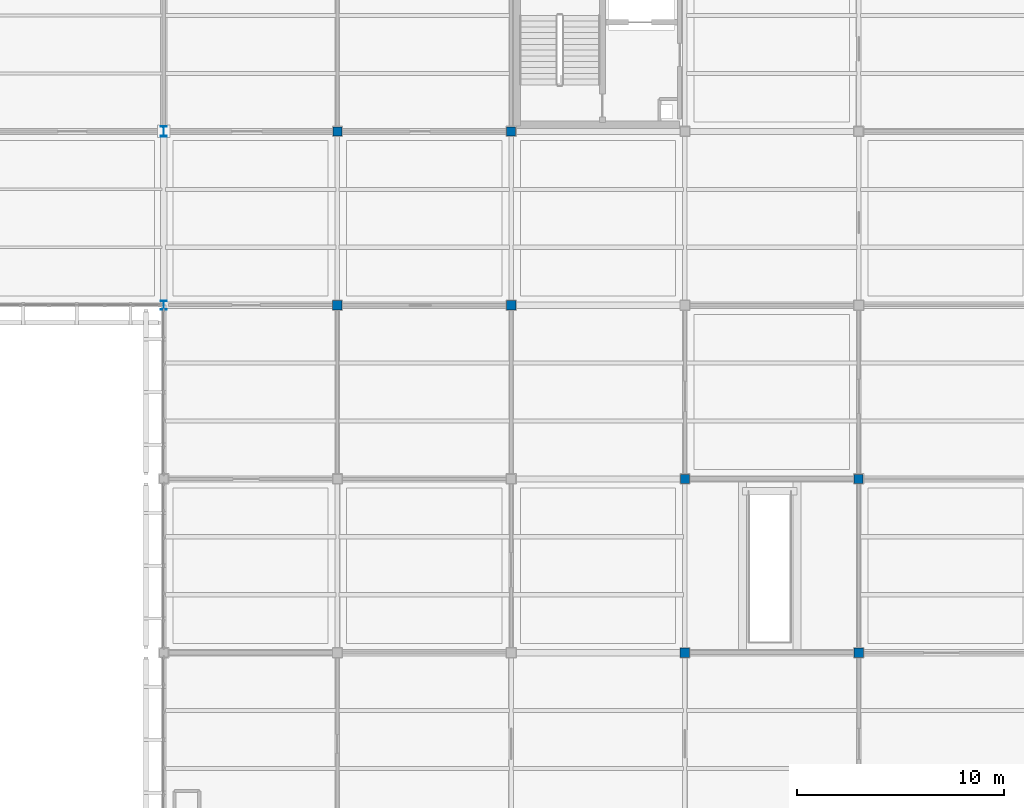
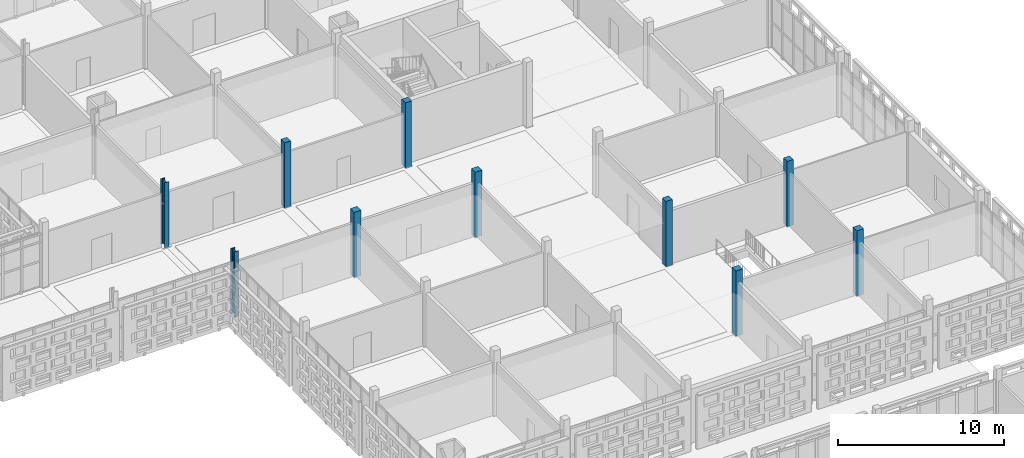
# One storey, part 12 of 203: 10 columns.
"""IFC4 building model written with IfcOpenShell, lengths in metres."""

from ifc_helpers import new_model, si_unit, direction, frame, origin, origin_2d, place, context, subcontext, project, spatial, rectangle, i_section, extrude, material, material_profile, profile_set, type_object, element, save


model = new_model("IFC4")

# Units and contexts
model_context = context("Model", 3, precision=1e-05, world=origin(), true_north=direction((0.0, 1.0)))
body_context = subcontext(model_context, "Body", "Model", "MODEL_VIEW")
ifc_project = project(units=[si_unit("LENGTHUNIT", "METRE"), si_unit("AREAUNIT", "SQUARE_METRE"), si_unit("VOLUMEUNIT", "CUBIC_METRE"), si_unit("PLANEANGLEUNIT", "RADIAN"), si_unit("MASSUNIT", "GRAM", prefix="KILO")], contexts=[model_context])

# Site, building, storey
site_placement = place(None, origin())
site = spatial("IfcSite", under=ifc_project, at=site_placement, CompositionType="ELEMENT")
building_placement = place(site_placement, origin())
building = spatial("IfcBuilding", under=site, at=building_placement, Name="Varnapada Polytechnic", CompositionType="ELEMENT")
storey_placement = place(building_placement, frame((0.0, 0.0, 4.800048828125)))
storey = spatial("IfcBuildingStorey", under=building, at=storey_placement, Name="L01", CompositionType="ELEMENT", Elevation=4.800048828125)

# Columns
ifc_material_1 = material(Name="Steel S355", Category="steel")
ifc_material_profile_1 = material_profile(ifc_material_1, i_section(OverallWidth=0.300048828125, OverallDepth=0.5, WebThickness=0.014404296875, FlangeThickness=0.028076171875, FilletRadius=0.027099609375, at=origin_2d()), Name="HEB 500")
ifc_profile_set_1 = profile_set([ifc_material_profile_1], Name="Steel S355")
column_type_1 = type_object("IfcColumnType", Name="Column C-06 (HEB 500)", PredefinedType="COLUMN", material=ifc_profile_set_1)
column_1_placement = place(storey_placement, frame((134.39990234375, 92.39990234375, 0.0), z_axis=(0.0, 0.0, 1.0), x_axis=(1.0, 0.0, 0.0)))
element("IfcColumn", 1, at=column_1_placement, inside=storey, type_object=column_type_1, Name="L01 column 17/12", PredefinedType="COLUMN", context=body_context, shape_type="SweptSolid", body=[
    extrude(i_section(OverallWidth=0.300048828125, OverallDepth=0.5, WebThickness=0.014404296875, FlangeThickness=0.028076171875, FilletRadius=0.027099609375, at=origin_2d()), origin(), (0.0, 0.0, 1.0), 4.800048828125),
])
ifc_material_2 = material(Name="Glulam GL32h", Category="wood")
ifc_material_profile_2 = material_profile(ifc_material_2, rectangle(XDim=0.4599609375, YDim=0.4599609375, at=origin_2d()), Name="GL 460x460")
ifc_profile_set_2 = profile_set([ifc_material_profile_2], Name="Glulam GL32h")
column_type_2 = type_object("IfcColumnType", Name="Column C-12 (GL 460x460)", PredefinedType="COLUMN", material=ifc_profile_set_2)
for number, where, z_axis, x_axis, name in (
    (2, (142.800048828125, 84.0, 0.0), (0.0, 0.0, 1.0), (1.0, 0.0, 0.0), "L01 column 18/11"),
    (3, (151.199951171875, 84.0, 0.0), (0.0, 0.0, 1.0), (1.0, 0.0, 0.0), "L01 column 19/11"),
    (4, (159.60009765625, 67.199951171875, 0.0), (0.0, 0.0, 1.0), (1.0, 0.0, 0.0), "L01 column 20/9"),
    (5, (168.0, 67.199951171875, 0.0), (0.0, 0.0, 1.0), (1.0, 0.0, 0.0), "L01 column 21/9"),
):
    element("IfcColumn", number, at=place(storey_placement, frame(where, z_axis=z_axis, x_axis=x_axis)), inside=storey, type_object=column_type_2, Name=name, PredefinedType="COLUMN", context=body_context, shape_type="SweptSolid", body=[
        extrude(rectangle(XDim=0.4599609375, YDim=0.4599609375, at=origin_2d()), origin(), (0.0, 0.0, 1.0), 4.800048828125),
    ])
ifc_material_profile_3 = material_profile(ifc_material_2, rectangle(XDim=0.43994140625, YDim=0.43994140625, at=origin_2d()), Name="GL 440x440")
ifc_profile_set_3 = profile_set([ifc_material_profile_3], Name="Glulam GL32h")
column_type_3 = type_object("IfcColumnType", Name="Column C-26 (GL 440x440)", PredefinedType="COLUMN", material=ifc_profile_set_3)
for number, where, z_axis, x_axis, name in (
    (6, (142.800048828125, 92.39990234375, 0.0), (0.0, 0.0, 1.0), (1.0, 0.0, 0.0), "L01 column 18/12"),
    (7, (151.199951171875, 92.39990234375, 0.0), (0.0, 0.0, 1.0), (1.0, 0.0, 0.0), "L01 column 19/12"),
    (8, (159.60009765625, 75.60009765625, 0.0), (0.0, 0.0, 1.0), (1.0, 0.0, 0.0), "L01 column 20/10"),
    (9, (168.0, 75.60009765625, 0.0), (0.0, 0.0, 1.0), (1.0, 0.0, 0.0), "L01 column 21/10"),
):
    element("IfcColumn", number, at=place(storey_placement, frame(where, z_axis=z_axis, x_axis=x_axis)), inside=storey, type_object=column_type_3, Name=name, PredefinedType="COLUMN", context=body_context, shape_type="SweptSolid", body=[
        extrude(rectangle(XDim=0.43994140625, YDim=0.43994140625, at=origin_2d()), origin(), (0.0, 0.0, 1.0), 4.800048828125),
    ])
ifc_material_profile_4 = material_profile(ifc_material_1, i_section(OverallWidth=0.300048828125, OverallDepth=0.43994140625, WebThickness=0.011474609375, FlangeThickness=0.02099609375, FilletRadius=0.027099609375, at=origin_2d()), Name="HEA 450")
ifc_profile_set_4 = profile_set([ifc_material_profile_4], Name="Steel S355")
column_type_4 = type_object("IfcColumnType", Name="Column C-30 (HEA 450)", PredefinedType="COLUMN", material=ifc_profile_set_4)
column_2_placement = place(storey_placement, frame((134.39990234375, 84.0, 0.0), z_axis=(0.0, 0.0, 1.0), x_axis=(1.0, 0.0, 0.0)))
element("IfcColumn", 10, at=column_2_placement, inside=storey, type_object=column_type_4, Name="L01 column 17/11", PredefinedType="COLUMN", context=body_context, shape_type="SweptSolid", body=[
    extrude(i_section(OverallWidth=0.300048828125, OverallDepth=0.43994140625, WebThickness=0.011474609375, FlangeThickness=0.02099609375, FilletRadius=0.027099609375, at=origin_2d()), origin(), (0.0, 0.0, 1.0), 4.800048828125),
])

save(model, "model.ifc")
